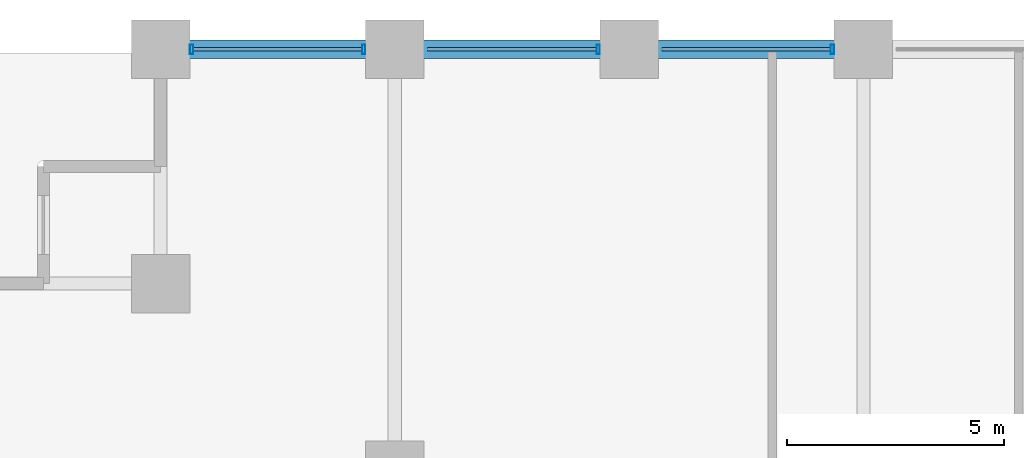
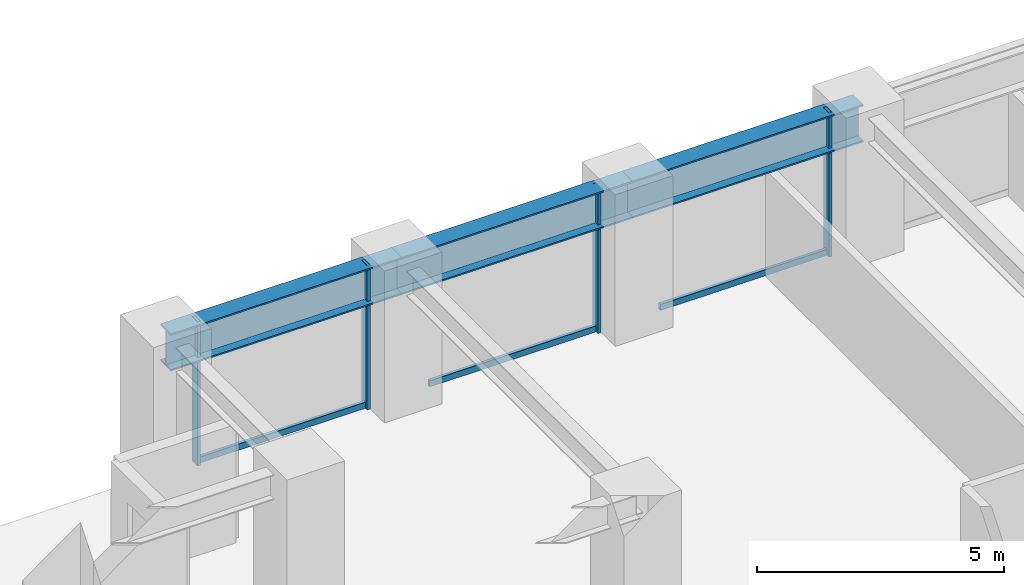
# One storey, part 12 of 27: 7 members, 3 beams, 1 element without a shape of its own.
"""IFC4 building model written with IfcOpenShell, lengths in metres."""

from ifc_helpers import new_model, si_unit, direction, frame, origin, origin_2d, place, context, subcontext, project, spatial, hollow_rectangle, i_section, extrude, material, layer, layer_set, material_profile, profile_set, type_object, element, aggregate, save


model = new_model("IFC4")

# Units and contexts
model_context = context("Model", 3, precision=1e-05, world=origin(), true_north=direction((0.0, 1.0)))
body_context = subcontext(model_context, "Body", "Model", "MODEL_VIEW")
ifc_project = project(units=[si_unit("LENGTHUNIT", "METRE"), si_unit("AREAUNIT", "SQUARE_METRE"), si_unit("VOLUMEUNIT", "CUBIC_METRE"), si_unit("PLANEANGLEUNIT", "RADIAN"), si_unit("MASSUNIT", "GRAM", prefix="KILO")], contexts=[model_context])

# Site, building, storey
site_placement = place(None, origin())
site = spatial("IfcSite", under=ifc_project, at=site_placement, CompositionType="ELEMENT")
building_placement = place(site_placement, origin())
building = spatial("IfcBuilding", under=site, at=building_placement, Name="Surkhivell Harbour Commons", CompositionType="ELEMENT")
storey_placement = place(building_placement, frame((0.0, 0.0, 22.5)))
storey = spatial("IfcBuildingStorey", under=building, at=storey_placement, Name="L05", CompositionType="ELEMENT", Elevation=22.5)

# Beams
ifc_material_1 = material(Name="Steel S460", Category="steel")
ifc_material_profile_1 = material_profile(ifc_material_1, i_section(OverallWidth=0.419921875, OverallDepth=0.9208984375, WebThickness=0.021484375, FlangeThickness=0.03662109375, at=origin_2d()), Name="UB914x419x388")
ifc_profile_set_1 = profile_set([ifc_material_profile_1], Name="Steel S460")
beam_type = type_object("IfcBeamType", Name="BM-SPN-914A", PredefinedType="SPANDREL", material=ifc_profile_set_1)
beam_1_placement = place(storey_placement, frame((-27.0, 25.89990234375, 3.109619140625), z_axis=(1.0, 0.0, 0.0), x_axis=(0.0, 1.0, 0.0)))
element("IfcBeam", 1, at=beam_1_placement, inside=storey, type_object=beam_type, Name="L05 Tube Spandrel (-27.0,25.9)", PredefinedType="SPANDREL", context=body_context, shape_type="SweptSolid", body=[
    extrude(i_section(OverallWidth=0.419921875, OverallDepth=0.9208984375, WebThickness=0.021484375, FlangeThickness=0.03662109375, at=origin_2d()), origin(), (0.0, 0.0, 1.0), 5.39990234375),
])
beam_2_placement = place(storey_placement, frame((-21.60009765625, 25.89990234375, 3.109619140625), z_axis=(1.0, 0.0, 0.0), x_axis=(0.0, 1.0, 0.0)))
element("IfcBeam", 2, at=beam_2_placement, inside=storey, type_object=beam_type, Name="L05 Tube Spandrel (-21.6,25.9)", PredefinedType="SPANDREL", context=body_context, shape_type="SweptSolid", body=[
    extrude(i_section(OverallWidth=0.419921875, OverallDepth=0.9208984375, WebThickness=0.021484375, FlangeThickness=0.03662109375, at=origin_2d()), origin(), (0.0, 0.0, 1.0), 5.400146484375),
])
beam_3_placement = place(storey_placement, frame((-16.199951171875, 25.89990234375, 3.109619140625), z_axis=(1.0, 0.0, 0.0), x_axis=(0.0, 1.0, 0.0)))
element("IfcBeam", 3, at=beam_3_placement, inside=storey, type_object=beam_type, Name="L05 Tube Spandrel (-16.2,25.9)", PredefinedType="SPANDREL", context=body_context, shape_type="SweptSolid", body=[
    extrude(i_section(OverallWidth=0.419921875, OverallDepth=0.9208984375, WebThickness=0.021484375, FlangeThickness=0.03662109375, at=origin_2d()), origin(), (0.0, 0.0, 1.0), 5.39990234375),
])

# Curtain wall, members
ifc_material_2 = material(Name="Anodised pale-metal aluminium and insulated glazing", Category="aluminium")
ifc_layer = layer(ifc_material_2, 0.219970703125)
ifc_layer_set = layer_set([ifc_layer], Name="Anodised pale-metal aluminium and insulated glazing")
curtain_wall_type = type_object("IfcCurtainWallType", Name="CW-SYS-Z1", PredefinedType="NOTDEFINED", material=ifc_layer_set)
curtain_wall_placement = place(storey_placement, origin())
curtain_wall = element("IfcCurtainWall", 4, at=curtain_wall_placement, inside=storey, type_object=curtain_wall_type, Name="L05 Curtain Wall CW-L05-E07S2", PredefinedType="NOTDEFINED")
ifc_material_3 = material(Name="Anodised pale-metal aluminium alloy 6063-T6", Category="aluminium")
ifc_material_profile_2 = material_profile(ifc_material_3, hollow_rectangle(XDim=0.074951171875, YDim=0.219970703125, WallThickness=0.00390625, at=origin_2d()), Name="ALU-MULL-75x220")
ifc_profile_set_2 = profile_set([ifc_material_profile_2], Name="Anodised pale-metal aluminium alloy 6063-T6")
member_type_1 = type_object("IfcMemberType", Name="CWM-220", PredefinedType="MULLION", material=ifc_profile_set_2)
member_1_placement = place(storey_placement, frame((-11.514404296875, 25.89990234375, 0.0), z_axis=(0.0, 0.0, 1.0), x_axis=(-1.0, 0.0, 0.0)))
member_1 = element("IfcMember", 5, at=member_1_placement, type_object=member_type_1, Name="CW-Z1 mullion 2", PredefinedType="MULLION", context=body_context, shape_type="SweptSolid", body=[
    extrude(hollow_rectangle(XDim=0.074951171875, YDim=0.219970703125, WallThickness=0.00390625, at=origin_2d()), origin(), (0.0, 0.0, 1.0), 3.570068359375),
])
member_2_placement = place(storey_placement, frame((-16.91455078125, 25.89990234375, 0.0), z_axis=(0.0, 0.0, 1.0), x_axis=(-1.0, 0.0, 0.0)))
member_2 = element("IfcMember", 6, at=member_2_placement, type_object=member_type_1, Name="CW-Z1 mullion 3", PredefinedType="MULLION", context=body_context, shape_type="SweptSolid", body=[
    extrude(hollow_rectangle(XDim=0.074951171875, YDim=0.219970703125, WallThickness=0.00390625, at=origin_2d()), origin(), (0.0, 0.0, 1.0), 3.570068359375),
])
member_3_placement = place(storey_placement, frame((-22.314453125, 25.89990234375, 0.0), z_axis=(0.0, 0.0, 1.0), x_axis=(-1.0, 0.0, 0.0)))
member_3 = element("IfcMember", 7, at=member_3_placement, type_object=member_type_1, Name="CW-Z1 mullion 4", PredefinedType="MULLION", context=body_context, shape_type="SweptSolid", body=[
    extrude(hollow_rectangle(XDim=0.074951171875, YDim=0.219970703125, WallThickness=0.00390625, at=origin_2d()), origin(), (0.0, 0.0, 1.0), 3.570068359375),
])
member_4_placement = place(storey_placement, frame((-26.285400390625, 25.89990234375, 0.0), z_axis=(0.0, 0.0, 1.0), x_axis=(-1.0, 0.0, 0.0)))
member_4 = element("IfcMember", 8, at=member_4_placement, type_object=member_type_1, Name="CW-Z1 mullion 5", PredefinedType="MULLION", context=body_context, shape_type="SweptSolid", body=[
    extrude(hollow_rectangle(XDim=0.074951171875, YDim=0.219970703125, WallThickness=0.00390625, at=origin_2d()), origin(), (0.0, 0.0, 1.0), 3.570068359375),
])
ifc_material_profile_3 = material_profile(ifc_material_3, hollow_rectangle(XDim=0.074951171875, YDim=0.14990234375, WallThickness=0.00341796875, at=origin_2d()), Name="ALU-TRAN-75x150")
ifc_profile_set_3 = profile_set([ifc_material_profile_3], Name="Anodised pale-metal aluminium alloy 6063-T6")
member_type_2 = type_object("IfcMemberType", Name="CWT-150", PredefinedType="USERDEFINED", material=ifc_profile_set_3)
member_5_placement = place(storey_placement, frame((-11.552001953125, 25.89990234375, 0.074951171875), z_axis=(-1.0, 0.0, 0.0), x_axis=(0.0, -1.0, 0.0)))
member_5 = element("IfcMember", 9, at=member_5_placement, type_object=member_type_2, Name="CW-Z1 transom 2.1", ObjectType="TRANSOM", PredefinedType="USERDEFINED", context=body_context, shape_type="SweptSolid", body=[
    extrude(hollow_rectangle(XDim=0.074951171875, YDim=0.14990234375, WallThickness=0.00341796875, at=origin_2d()), origin(), (0.0, 0.0, 1.0), 3.89599609375),
])
member_6_placement = place(storey_placement, frame((-16.951904296875, 25.89990234375, 0.074951171875), z_axis=(-1.0, 0.0, 0.0), x_axis=(0.0, -1.0, 0.0)))
member_6 = element("IfcMember", 10, at=member_6_placement, type_object=member_type_2, Name="CW-Z1 transom 3.1", ObjectType="TRANSOM", PredefinedType="USERDEFINED", context=body_context, shape_type="SweptSolid", body=[
    extrude(hollow_rectangle(XDim=0.074951171875, YDim=0.14990234375, WallThickness=0.00341796875, at=origin_2d()), origin(), (0.0, 0.0, 1.0), 3.89599609375),
])
member_7_placement = place(storey_placement, frame((-22.35205078125, 25.89990234375, 0.074951171875), z_axis=(-1.0, 0.0, 0.0), x_axis=(0.0, -1.0, 0.0)))
member_7 = element("IfcMember", 11, at=member_7_placement, type_object=member_type_2, Name="CW-Z1 transom 4.1", ObjectType="TRANSOM", PredefinedType="USERDEFINED", context=body_context, shape_type="SweptSolid", body=[
    extrude(hollow_rectangle(XDim=0.074951171875, YDim=0.14990234375, WallThickness=0.00341796875, at=origin_2d()), origin(), (0.0, 0.0, 1.0), 3.89599609375),
])
aggregate(curtain_wall, [member_1, member_5, member_2, member_6, member_3, member_4, member_7])

save(model, "model.ifc")
